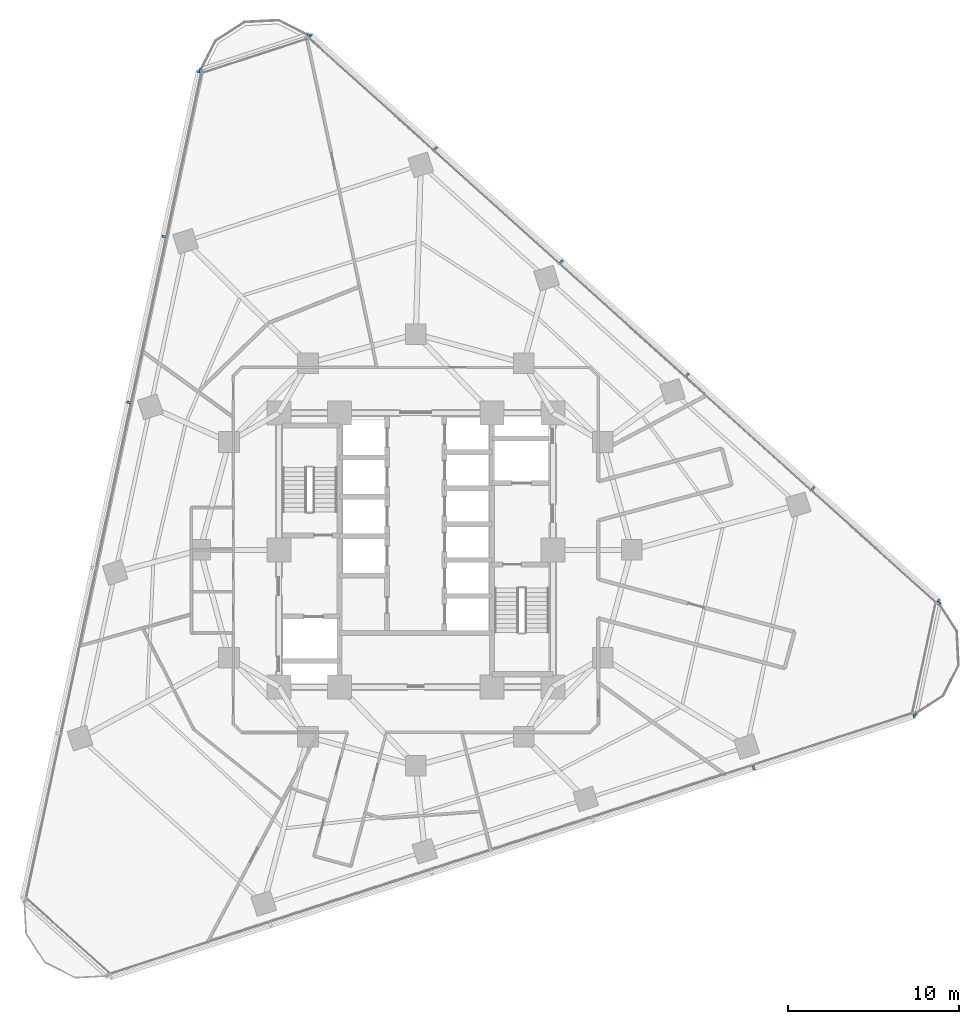
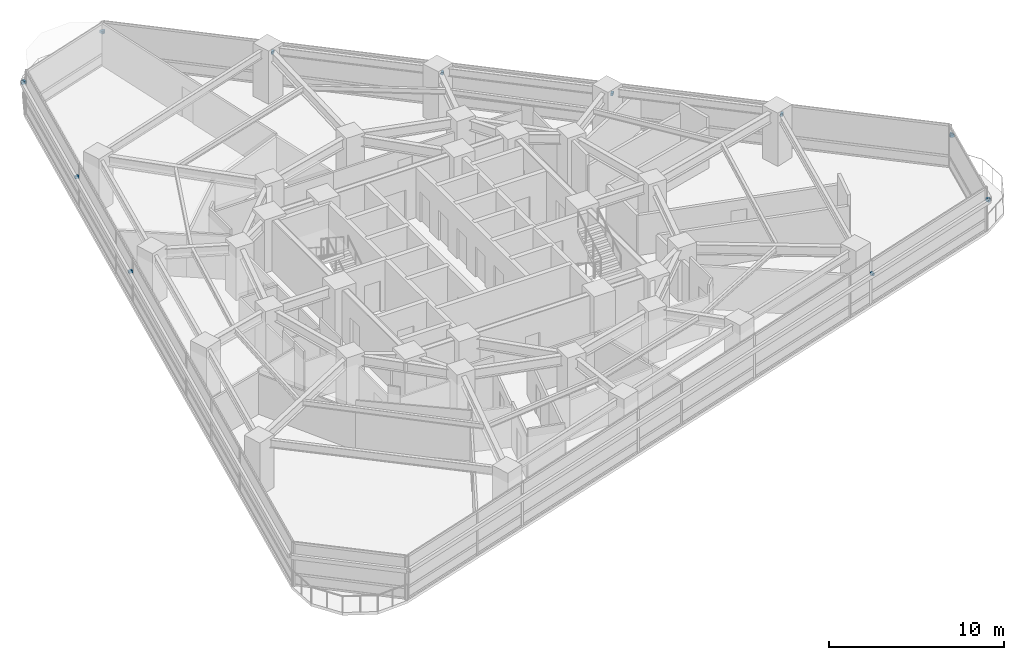
# One storey, part 10 of 13: 15 discrete accessories.
"""IFC4 building model written with IfcOpenShell, lengths in metres."""

from ifc_helpers import new_model, si_unit, direction, frame, origin, origin_2d, place, context, subcontext, project, spatial, rectangle, extrude, material, type_object, element, save


model = new_model("IFC4")

# Units and contexts
model_context = context("Model", 3, precision=1e-05, world=origin(), true_north=direction((0.0, 1.0)))
body_context = subcontext(model_context, "Body", "Model", "MODEL_VIEW")
ifc_project = project(units=[si_unit("LENGTHUNIT", "METRE"), si_unit("AREAUNIT", "SQUARE_METRE"), si_unit("VOLUMEUNIT", "CUBIC_METRE"), si_unit("PLANEANGLEUNIT", "RADIAN"), si_unit("MASSUNIT", "GRAM", prefix="KILO")], contexts=[model_context])

# Site, building, storey
site_placement = place(None, origin())
site = spatial("IfcSite", under=ifc_project, at=site_placement, CompositionType="ELEMENT")
building_placement = place(site_placement, origin())
building = spatial("IfcBuilding", under=site, at=building_placement, Name="Terralouvre Media Tower", CompositionType="ELEMENT")
storey_placement = place(building_placement, frame((0.0, 0.0, 94.0)))
storey = spatial("IfcBuildingStorey", under=building, at=storey_placement, Name="L23", CompositionType="ELEMENT", Elevation=94.0)

# Discrete accessories
ifc_material = material(Name="Anodised extruded aluminium 6063-T6", Category="aluminium")
discrete_accessory_type = type_object("IfcDiscreteAccessoryType", Name="Mullion Stand-Off Baguette Fixing Bracket BK-01", PredefinedType="BRACKET", material=ifc_material)
for number, where, z_axis, x_axis, name in (
    (1, (19.727783203125, -12.71826171875, 2.07421875), (0.0, 0.0, 1.0), (0.951056509451, 0.309017015439, 0.0), "CW-L23-F0 Baguette Outrigger Bracket 1.05"),
    (2, (29.09619140625, -9.67431640625, 2.07421875), (0.0, 0.0, 1.0), (0.951056509451, 0.309017015439, 0.0), "CW-L23-F0 Baguette Outrigger Bracket 1.06"),
    (3, (30.515625, -2.996337890625, 2.07421875), (0.0, 0.0, 1.0), (-0.743144795545, 0.669130639602, 0.0), "CW-L23-F1 Baguette Outrigger Bracket 1.01"),
    (4, (23.1953125, 3.5947265625, 2.07421875), (0.0, 0.0, 1.0), (-0.743144795545, 0.669130639602, 0.0), "CW-L23-F1 Baguette Outrigger Bracket 1.02"),
    (5, (15.846923828125, 10.211181640625, 2.07421875), (0.0, 0.0, 1.0), (-0.743144795545, 0.669130639602, 0.0), "CW-L23-F1 Baguette Outrigger Bracket 1.03"),
    (6, (8.498779296875, 16.82763671875, 2.07421875), (0.0, 0.0, 1.0), (-0.743144795545, 0.669130639602, 0.0), "CW-L23-F1 Baguette Outrigger Bracket 1.04"),
    (7, (1.150634765625, 23.44384765625, 2.07421875), (0.0, 0.0, 1.0), (-0.743144795545, 0.669130639602, 0.0), "CW-L23-F1 Baguette Outrigger Bracket 1.05"),
    (8, (-6.169677734375, 30.03515625, 2.07421875), (0.0, 0.0, 1.0), (-0.743144795545, 0.669130639602, 0.0), "CW-L23-F1 Baguette Outrigger Bracket 1.06"),
    (9, (-12.662841796875, 27.925537109375, 2.07421875), (0.0, 0.0, 1.0), (-0.207911643887, -0.978147610709, 0.0), "CW-L23-F2 Baguette Outrigger Bracket 1.01"),
    (10, (-14.710693359375, 18.290283203125, 2.07421875), (0.0, 0.0, 1.0), (-0.207911643887, -0.978147610709, 0.0), "CW-L23-F2 Baguette Outrigger Bracket 1.02"),
    (11, (-16.7666015625, 8.618408203125, 2.07421875), (0.0, 0.0, 1.0), (-0.207911643887, -0.978147610709, 0.0), "CW-L23-F2 Baguette Outrigger Bracket 1.03"),
    (12, (29.146728515625, -9.59228515625, 2.07421875), (0.0, 0.0, 1.0), (0.207911611348, 0.978147617626, 0.0), "CW-L23-C1 Baguette Outrigger Bracket 1.01"),
    (13, (30.5283203125, -3.092041015625, 2.07421875), (0.0, 0.0, 1.0), (0.207911611348, 0.978147617626, 0.0), "CW-L23-C1 Baguette Outrigger Bracket 1.02"),
    (14, (-6.266357421875, 30.0380859375, 2.07421875), (0.0, 0.0, 1.0), (-0.951056286408, -0.309017701894, 0.0), "CW-L23-C2 Baguette Outrigger Bracket 1.01"),
    (15, (-12.58642578125, 27.984375, 2.07421875), (0.0, 0.0, 1.0), (-0.951056286408, -0.309017701894, 0.0), "CW-L23-C2 Baguette Outrigger Bracket 1.02"),
):
    element("IfcDiscreteAccessory", number, at=place(storey_placement, frame(where, z_axis=z_axis, x_axis=x_axis)), inside=storey, type_object=discrete_accessory_type, Name=name, PredefinedType="BRACKET", context=body_context, shape_type="SweptSolid", body=[
        extrude(rectangle(XDim=0.139892578125, YDim=0.239990234375, at=origin_2d()), origin(), (0.0, 0.0, 1.0), 0.179931640625),
    ])

save(model, "model.ifc")
